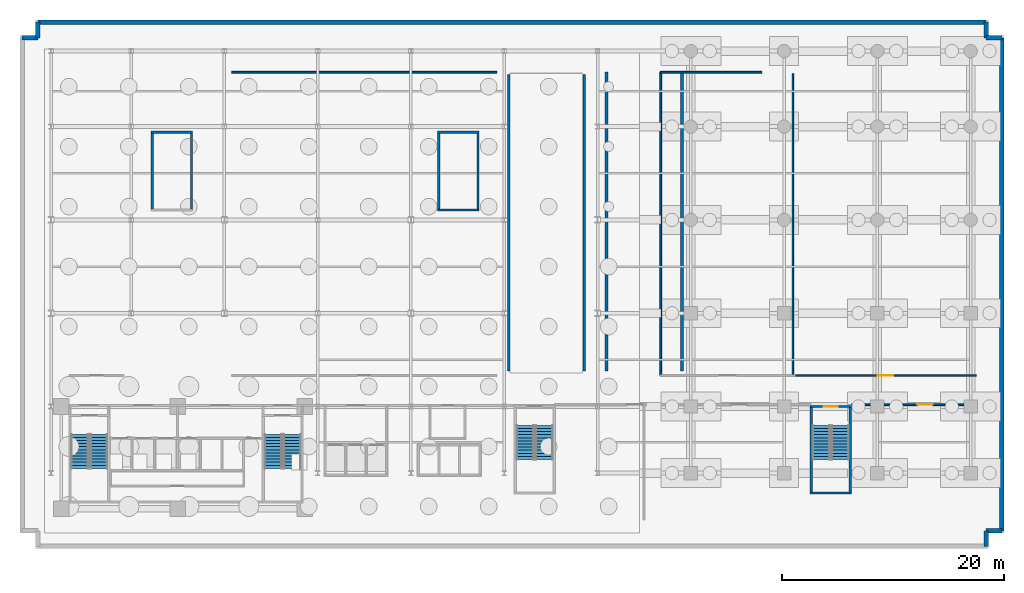
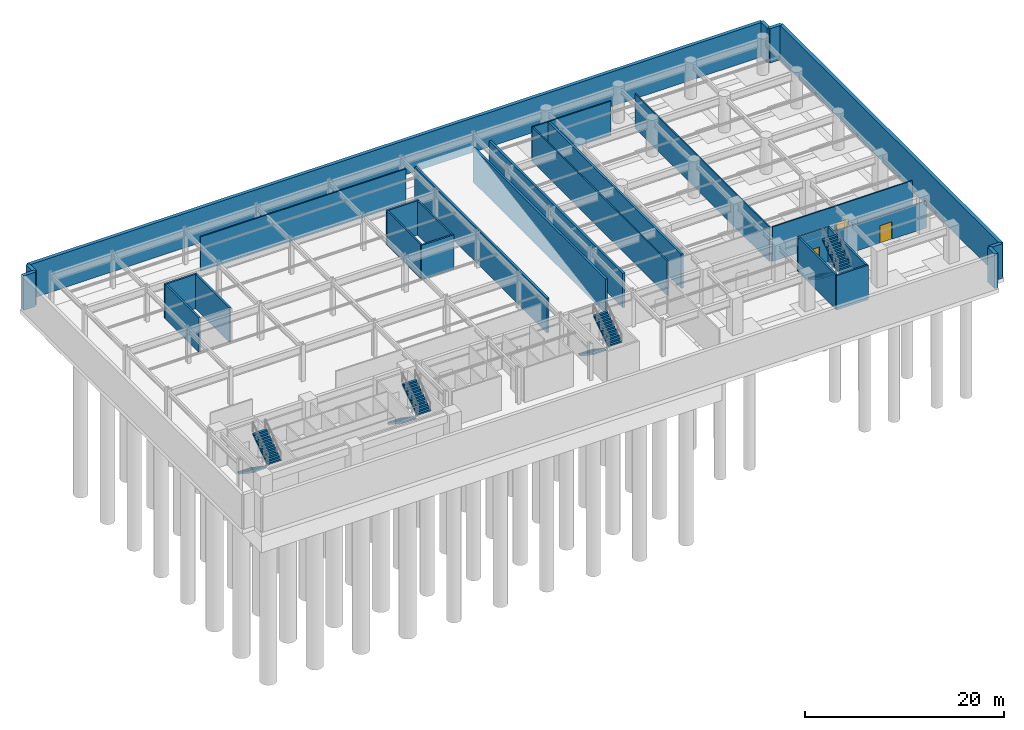
# One storey, part 11 of 14: 29 walls, 8 stair flights, 3 doors, 3 openings, 4 elements without a shape of their own.
"""IFC4 building model written with IfcOpenShell, lengths in metres."""

from ifc_helpers import new_model, si_unit, direction, frame, frame_2d, origin, place, context, subcontext, project, spatial, polyline, rectangle, outline, extrude, material, layer, layer_set, type_object, element, fill, aggregate, save


model = new_model("IFC4")

# Units and contexts
model_context = context("Model", 3, precision=1e-05, world=origin(), true_north=direction((0.0, 1.0)))
body_context = subcontext(model_context, "Body", "Model", "MODEL_VIEW")
ifc_project = project(units=[si_unit("LENGTHUNIT", "METRE"), si_unit("AREAUNIT", "SQUARE_METRE"), si_unit("VOLUMEUNIT", "CUBIC_METRE"), si_unit("PLANEANGLEUNIT", "RADIAN"), si_unit("MASSUNIT", "GRAM", prefix="KILO")], contexts=[model_context])

# Site, building, storey
site_placement = place(None, origin())
site = spatial("IfcSite", under=ifc_project, at=site_placement, CompositionType="ELEMENT")
building_placement = place(site_placement, origin())
building = spatial("IfcBuilding", under=site, at=building_placement, Name="Varnakote Quay Hospital", CompositionType="ELEMENT")
storey_placement = place(building_placement, frame((0.0, 0.0, -9.0)))
storey = spatial("IfcBuildingStorey", under=building, at=storey_placement, Name="B02", CompositionType="ELEMENT", Elevation=-9.0)

# Walls
ifc_material_1 = material(Name="Concrete N40 (f'c 40 MPa)", Category="concrete")
ifc_layer_1 = layer(ifc_material_1, 0.39990234375)
ifc_layer_set_1 = layer_set([ifc_layer_1], Name="Concrete N40 (f'c 40 MPa)")
wall_type_1 = type_object("IfcWallType", Name="WL-BSMT-RET-400", PredefinedType="STANDARD", material=ifc_layer_set_1)
for number, where, z_axis, x_axis, name in (
    (1, (85.39990234375, -0.60009765625, 0.0), (0.0, 0.0, 1.0), (0.0, 1.0, 0.0), "B02 Tanked Basement Retaining Wall"),
    (2, (85.39990234375, 0.800048828125, 0.0), (0.0, 0.0, 1.0), (1.0, 0.0, 0.0), "B02 Tanked Basement Retaining Wall"),
):
    element("IfcWall", number, at=place(storey_placement, frame(where, z_axis=z_axis, x_axis=x_axis)), inside=storey, type_object=wall_type_1, Name=name, PredefinedType="STANDARD", context=body_context, shape_type="SweptSolid", body=[
        extrude(rectangle(XDim=1.400146484375, YDim=0.39990234375, at=frame_2d((0.7001953125, 0.0))), origin(), (0.0, 0.0, 1.0), 4.239990234375),
    ])
wall_1_placement = place(storey_placement, frame((86.800048828125, 0.800048828125, 0.0), z_axis=(0.0, 0.0, 1.0), x_axis=(0.0, 1.0, 0.0)))
element("IfcWall", 3, at=wall_1_placement, inside=storey, type_object=wall_type_1, Name="B02 Tanked Basement Retaining Wall", PredefinedType="STANDARD", context=body_context, shape_type="SweptSolid", body=[
    extrude(rectangle(XDim=44.39990234375, YDim=0.39990234375, at=frame_2d((22.199951171875, 0.0))), origin(), (0.0, 0.0, 1.0), 4.239990234375),
])
for number, where, z_axis, x_axis, name in (
    (4, (86.800048828125, 45.199951171875, 0.0), (0.0, 0.0, 1.0), (-1.0, 0.0, 0.0), "B02 Tanked Basement Retaining Wall"),
    (5, (85.39990234375, 45.199951171875, 0.0), (0.0, 0.0, 1.0), (0.0, 1.0, 0.0), "B02 Tanked Basement Retaining Wall"),
):
    element("IfcWall", number, at=place(storey_placement, frame(where, z_axis=z_axis, x_axis=x_axis)), inside=storey, type_object=wall_type_1, Name=name, PredefinedType="STANDARD", context=body_context, shape_type="SweptSolid", body=[
        extrude(rectangle(XDim=1.400146484375, YDim=0.39990234375, at=frame_2d((0.7001953125, 0.0))), origin(), (0.0, 0.0, 1.0), 4.239990234375),
    ])
wall_2_placement = place(storey_placement, frame((85.39990234375, 46.60009765625, 0.0), z_axis=(0.0, 0.0, 1.0), x_axis=(-1.0, 0.0, 0.0)))
element("IfcWall", 6, at=wall_2_placement, inside=storey, type_object=wall_type_1, Name="B02 Tanked Basement Retaining Wall", PredefinedType="STANDARD", context=body_context, shape_type="SweptSolid", body=[
    extrude(rectangle(XDim=85.39990234375, YDim=0.39990234375, at=frame_2d((42.699951171875, 0.0))), origin(), (0.0, 0.0, 1.0), 4.239990234375),
])
wall_3_placement = place(storey_placement, frame((0.0, 46.60009765625, 0.0), z_axis=(0.0, 0.0, 1.0), x_axis=(0.0, -1.0, 0.0)))
element("IfcWall", 7, at=wall_3_placement, inside=storey, type_object=wall_type_1, Name="B02 Tanked Basement Retaining Wall", PredefinedType="STANDARD", context=body_context, shape_type="SweptSolid", body=[
    extrude(rectangle(XDim=1.400146484375, YDim=0.39990234375, at=frame_2d((0.7001953125, 0.0))), origin(), (0.0, 0.0, 1.0), 4.239990234375),
])
wall_4_placement = place(storey_placement, frame((0.0, 45.199951171875, 0.0), z_axis=(0.0, 0.0, 1.0), x_axis=(-1.0, 0.0, 0.0)))
element("IfcWall", 8, at=wall_4_placement, inside=storey, type_object=wall_type_1, Name="B02 Tanked Basement Retaining Wall", PredefinedType="STANDARD", context=body_context, shape_type="SweptSolid", body=[
    extrude(rectangle(XDim=1.39990234375, YDim=0.39990234375, at=frame_2d((0.699951171875, 0.0))), origin(), (0.0, 0.0, 1.0), 4.239990234375),
])
ifc_material_2 = material(Name="Concrete N50 (f'c 50 MPa)", Category="concrete")
ifc_layer_2 = layer(ifc_material_2, 0.199951171875)
ifc_layer_set_2 = layer_set([ifc_layer_2], Name="Concrete N50 (f'c 50 MPa)")
wall_type_2 = type_object("IfcWallType", Name="WL-SHAFT-N50-200", PredefinedType="SHEAR", material=ifc_layer_set_2)
wall_5_placement = place(storey_placement, frame((69.550048828125, 4.199951171875, 0.0), z_axis=(0.0, 0.0, 1.0), x_axis=(1.0, 0.0, 0.0)))
element("IfcWall", 9, at=wall_5_placement, inside=storey, type_object=wall_type_2, Name="B02 Stair ST6 South Shaft Wall", PredefinedType="SHEAR", context=body_context, shape_type="SweptSolid", body=[
    extrude(rectangle(XDim=3.699951171875, YDim=0.199951171875, at=frame_2d((1.85009765625, 0.0))), origin(), (0.0, 0.0, 1.0), 4.239990234375),
])
for number, where, z_axis, x_axis, name in (
    (10, (69.64990234375, 4.300048828125, 0.0), (0.0, 0.0, 1.0), (0.0, 1.0, 0.0), "B02 Stair ST6 West Shaft Wall"),
    (11, (73.14990234375, 4.300048828125, 0.0), (0.0, 0.0, 1.0), (0.0, 1.0, 0.0), "B02 Stair ST6 East Shaft Wall"),
):
    element("IfcWall", number, at=place(storey_placement, frame(where, z_axis=z_axis, x_axis=x_axis)), inside=storey, type_object=wall_type_2, Name=name, PredefinedType="SHEAR", context=body_context, shape_type="SweptSolid", body=[
        extrude(rectangle(XDim=7.599853515625, YDim=0.199951171875, at=frame_2d((3.7998046875, 0.0))), origin(), (0.0, 0.0, 1.0), 4.239990234375),
    ])

# Wall, opening, door
wall_6_placement = place(storey_placement, frame((69.550048828125, 12.0, 0.0), z_axis=(0.0, 0.0, 1.0), x_axis=(1.0, 0.0, 0.0)))
wall_6 = element("IfcWall", 12, at=wall_6_placement, inside=storey, type_object=wall_type_2, Name="B02 Stair ST6 Exit Wall", PredefinedType="SHEAR", context=body_context, shape_type="SweptSolid", body=[
    extrude(rectangle(XDim=3.699951171875, YDim=0.199951171875, at=frame_2d((1.85009765625, 0.0))), origin(), (0.0, 0.0, 1.0), 4.239990234375),
])
opening_1_placement = place(wall_6_placement, frame((1.199951171875, 0.0, 0.0)))
opening_1 = element("IfcOpeningElement", 13, at=opening_1_placement, cuts=wall_6, Name="Opening D-ST6-B02", PredefinedType="OPENING", context=body_context, shape_type="SweptSolid", body=[
    extrude(rectangle(XDim=1.300048828125, YDim=2.14990234375, at=frame_2d((0.64990234375, 1.074951171875))), frame((0.0, 0.10986328125, 0.0), z_axis=(0.0, -1.0, 0.0), x_axis=(1.0, 0.0, 0.0)), (0.0, 0.0, 1.0), 0.219970703125),
])
ifc_material_3 = material(Name="Fire-rated ceramic-glazed timber exit door", Category="wood")
door_type_1 = type_object("IfcDoorType", Name="DR-STAIR-FD60S-1300x2150", OperationType="NOTDEFINED", PredefinedType="DOOR", material=ifc_material_3)
door_1_placement = place(opening_1_placement, origin())
door_1 = element("IfcDoor", 14, at=door_1_placement, inside=storey, type_object=door_type_1, Name="B02 Stair ST6 Fire Exit Door", OperationType="SINGLE_SWING_LEFT", OverallHeight=2.14990234375, OverallWidth=1.300048828125, PredefinedType="DOOR", context=body_context, shape_type="SweptSolid", body=[
    extrude(rectangle(XDim=1.300048828125, YDim=2.14990234375, at=frame_2d((0.64990234375, 1.074951171875))), frame((0.0, 0.02490234375, 0.0), z_axis=(0.0, -1.0, 0.0), x_axis=(1.0, 0.0, 0.0)), (0.0, 0.0, 1.0), 0.050048828125),
])
fill(opening_1, door_1)

# Walls
for number, where, z_axis, x_axis, name in (
    (15, (10.300048828125, 29.800048828125, 0.0), (0.0, 0.0, 1.0), (0.0, 1.0, 0.0), "B02 Stair ST4 West Shaft Wall"),
    (16, (13.840087890625, 29.800048828125, 0.0), (0.0, 0.0, 1.0), (0.0, 1.0, 0.0), "B02 Stair ST4 East Shaft Wall"),
):
    element("IfcWall", number, at=place(storey_placement, frame(where, z_axis=z_axis, x_axis=x_axis)), inside=storey, type_object=wall_type_2, Name=name, PredefinedType="SHEAR", context=body_context, shape_type="SweptSolid", body=[
        extrude(rectangle(XDim=6.800048828125, YDim=0.199951171875, at=frame_2d((3.39990234375, 0.0))), origin(), (0.0, 0.0, 1.0), 4.239990234375),
    ])
for number, where, z_axis, x_axis, name in (
    (17, (10.199951171875, 36.699951171875, 0.0), (0.0, 0.0, 1.0), (1.0, 0.0, 0.0), "B02 Stair ST4 Exit Wall"),
    (18, (36.0, 29.699951171875, 0.0), (0.0, 0.0, 1.0), (1.0, 0.0, 0.0), "B02 Stair ST5 South Shaft Wall"),
):
    element("IfcWall", number, at=place(storey_placement, frame(where, z_axis=z_axis, x_axis=x_axis)), inside=storey, type_object=wall_type_2, Name=name, PredefinedType="SHEAR", context=body_context, shape_type="SweptSolid", body=[
        extrude(rectangle(XDim=3.739990234375, YDim=0.199951171875, at=frame_2d((1.8701171875, 0.0))), origin(), (0.0, 0.0, 1.0), 4.239990234375),
    ])
for number, where, z_axis, x_axis, name in (
    (19, (36.10009765625, 29.800048828125, 0.0), (0.0, 0.0, 1.0), (0.0, 1.0, 0.0), "B02 Stair ST5 West Shaft Wall"),
    (20, (39.639892578125, 29.800048828125, 0.0), (0.0, 0.0, 1.0), (0.0, 1.0, 0.0), "B02 Stair ST5 East Shaft Wall"),
):
    element("IfcWall", number, at=place(storey_placement, frame(where, z_axis=z_axis, x_axis=x_axis)), inside=storey, type_object=wall_type_2, Name=name, PredefinedType="SHEAR", context=body_context, shape_type="SweptSolid", body=[
        extrude(rectangle(XDim=6.800048828125, YDim=0.199951171875, at=frame_2d((3.39990234375, 0.0))), origin(), (0.0, 0.0, 1.0), 4.239990234375),
    ])
wall_7_placement = place(storey_placement, frame((36.0, 36.699951171875, 0.0), z_axis=(0.0, 0.0, 1.0), x_axis=(1.0, 0.0, 0.0)))
element("IfcWall", 21, at=wall_7_placement, inside=storey, type_object=wall_type_2, Name="B02 Stair ST5 Exit Wall", PredefinedType="SHEAR", context=body_context, shape_type="SweptSolid", body=[
    extrude(rectangle(XDim=3.739990234375, YDim=0.199951171875, at=frame_2d((1.8701171875, 0.0))), origin(), (0.0, 0.0, 1.0), 4.239990234375),
])
ifc_material_4 = material(Name="Concrete N50 (f'c 50 MPa)", Category="concrete")
ifc_layer_3 = layer(ifc_material_4, 0.25)
ifc_layer_set_3 = layer_set([ifc_layer_3], Name="Concrete N50 (f'c 50 MPa)")
wall_type_3 = type_object("IfcWallType", Name="WL-SHAFT-N50-250", PredefinedType="SHEAR", material=ifc_layer_set_3)
for number, where, z_axis, x_axis, name in (
    (22, (42.39990234375, 15.199951171875, 0.0), (0.0, 0.0, 1.0), (0.0, 1.0, 0.0), "B02 Vehicle Ramp R1 West Bearing Wall"),
    (23, (49.199951171875, 15.199951171875, 0.0), (0.0, 0.0, 1.0), (0.0, 1.0, 0.0), "B02 Vehicle Ramp R1 East Bearing Wall"),
):
    element("IfcWall", number, at=place(storey_placement, frame(where, z_axis=z_axis, x_axis=x_axis)), inside=storey, type_object=wall_type_3, Name=name, PredefinedType="SHEAR", context=body_context, shape_type="SweptSolid", body=[
        extrude(rectangle(XDim=26.699951171875, YDim=0.25, at=frame_2d((13.35009765625, 0.0))), origin(), (0.0, 0.0, 1.0), 4.239990234375),
    ])
for number, where, z_axis, x_axis, name in (
    (24, (51.199951171875, 15.199951171875, 0.0), (0.0, 0.0, 1.0), (0.0, 1.0, 0.0), "B02 Upper Ramp Line West Foundation Wall"),
    (25, (58.0, 15.199951171875, 0.0), (0.0, 0.0, 1.0), (0.0, 1.0, 0.0), "B02 Upper Ramp Line East Foundation Wall"),
):
    element("IfcWall", number, at=place(storey_placement, frame(where, z_axis=z_axis, x_axis=x_axis)), inside=storey, type_object=wall_type_3, Name=name, PredefinedType="SHEAR", context=body_context, shape_type="SweptSolid", body=[
        extrude(rectangle(XDim=26.900146484375, YDim=0.25, at=frame_2d((13.4501953125, 0.0))), origin(), (0.0, 0.0, 1.0), 4.239990234375),
    ])
ifc_material_5 = material(Name="Smoke-proof clinical partition", Category="gypsum")
ifc_layer_4 = layer(ifc_material_5, 0.135009765625)
ifc_layer_set_4 = layer_set([ifc_layer_4], Name="Smoke-proof clinical partition")
wall_type_4 = type_object("IfcWallType", Name="WL-SMOKE-135", PredefinedType="PARTITIONING", material=ifc_layer_set_4)
wall_8_placement = place(storey_placement, frame((68.0, 14.864990234375, 0.0), z_axis=(0.0, 0.0, 1.0), x_axis=(0.0, 1.0, 0.0)))
element("IfcWall", 26, at=wall_8_placement, inside=storey, type_object=wall_type_4, Name="B02 Clinical Interior Partition", PredefinedType="PARTITIONING", context=body_context, shape_type="SweptSolid", body=[
    extrude(rectangle(XDim=27.0849609375, YDim=0.135009765625, at=frame_2d((13.54248046875, 0.0))), origin(), (0.0, 0.0, 1.0), 4.239990234375),
])

# Wall, opening, door
ifc_material_6 = material(Name="Fire-rated clinical gypsum partition", Category="gypsum")
ifc_layer_5 = layer(ifc_material_6, 0.14990234375)
ifc_layer_set_5 = layer_set([ifc_layer_5], Name="Fire-rated clinical gypsum partition")
wall_type_5 = type_object("IfcWallType", Name="WL-WARD-150", PredefinedType="PARTITIONING", material=ifc_layer_set_5)
wall_9_placement = place(storey_placement, frame((73.271484375, 12.159912109375, 0.0), z_axis=(0.0, 0.0, 1.0), x_axis=(1.0, 0.0, 0.0)))
wall_9 = element("IfcWall", 27, at=wall_9_placement, inside=storey, type_object=wall_type_5, Name="B02 Clinical Interior Partition", PredefinedType="PARTITIONING", context=body_context, shape_type="SweptSolid", body=[
    extrude(rectangle(XDim=11.32861328125, YDim=0.14990234375, at=frame_2d((5.664306640625, 0.0))), origin(), (0.0, 0.0, 1.0), 3.304931640625),
])
opening_2_placement = place(wall_9_placement, frame((5.9169921875, 0.0, 0.0)))
opening_2 = element("IfcOpeningElement", 28, at=opening_2_placement, cuts=wall_9, Name="Opening D-B02-EPLT", PredefinedType="OPENING", context=body_context, shape_type="SweptSolid", body=[
    extrude(rectangle(XDim=1.39990234375, YDim=2.14990234375, at=frame_2d((0.699951171875, 1.074951171875))), frame((0.0, 0.0849609375, 0.0), z_axis=(0.0, -1.0, 0.0), x_axis=(1.0, 0.0, 0.0)), (0.0, 0.0, 1.0), 0.169921875),
])
ifc_material_7 = material(Name="Fire-rated acoustic plant room door")
door_type_2 = type_object("IfcDoorType", Name="DR-PLANT-FD60-1400x2150", OperationType="NOTDEFINED", PredefinedType="DOOR", material=ifc_material_7)
door_2_placement = place(opening_2_placement, origin())
door_2 = element("IfcDoor", 29, at=door_2_placement, inside=storey, type_object=door_type_2, Name="B02 East Podium Medical Gas & Vacuum Plant Door", OperationType="SINGLE_SWING_LEFT", OverallHeight=2.14990234375, OverallWidth=1.39990234375, PredefinedType="DOOR", context=body_context, shape_type="SweptSolid", body=[
    extrude(rectangle(XDim=1.39990234375, YDim=2.14990234375, at=frame_2d((0.699951171875, 1.074951171875))), frame((0.0, 0.02490234375, 0.0), z_axis=(0.0, -1.0, 0.0), x_axis=(1.0, 0.0, 0.0)), (0.0, 0.0, 1.0), 0.050048828125),
])
fill(opening_2, door_2)

wall_10_placement = place(storey_placement, frame((84.5, 14.800048828125, 0.0), z_axis=(0.0, 0.0, 1.0), x_axis=(-1.0, 0.0, 0.0)))
wall_10 = element("IfcWall", 30, at=wall_10_placement, inside=storey, type_object=wall_type_5, Name="B02 Clinical Interior Partition", PredefinedType="PARTITIONING", context=body_context, shape_type="SweptSolid", body=[
    extrude(rectangle(XDim=16.303466796875, YDim=0.14990234375, at=frame_2d((8.15185546875, 0.0))), origin(), (0.0, 0.0, 1.0), 4.239990234375),
])
opening_3_placement = place(wall_10_placement, frame((7.45166015625, 0.0, 0.0)))
opening_3 = element("IfcOpeningElement", 31, at=opening_3_placement, cuts=wall_10, Name="Opening D-B02-ESTG", PredefinedType="OPENING", context=body_context, shape_type="SweptSolid", body=[
    extrude(rectangle(XDim=1.39990234375, YDim=2.14990234375, at=frame_2d((0.699951171875, 1.074951171875))), frame((0.0, 0.0849609375, 0.0), z_axis=(0.0, -1.0, 0.0), x_axis=(1.0, 0.0, 0.0)), (0.0, 0.0, 1.0), 0.169921875),
])
door_3_placement = place(opening_3_placement, origin())
door_3 = element("IfcDoor", 32, at=door_3_placement, inside=storey, type_object=door_type_2, Name="B02 East Basement Bulk Pharmacy & Disaster Reserve Store Door", OperationType="SINGLE_SWING_LEFT", OverallHeight=2.14990234375, OverallWidth=1.39990234375, PredefinedType="DOOR", context=body_context, shape_type="SweptSolid", body=[
    extrude(rectangle(XDim=1.39990234375, YDim=2.14990234375, at=frame_2d((0.699951171875, 1.074951171875))), frame((0.0, 0.02490234375, 0.0), z_axis=(0.0, -1.0, 0.0), x_axis=(1.0, 0.0, 0.0)), (0.0, 0.0, 1.0), 0.050048828125),
])
fill(opening_3, door_3)

# Walls
wall_11_placement = place(storey_placement, frame((17.462890625, 42.10009765625, 0.0), z_axis=(0.0, 0.0, 1.0), x_axis=(1.0, 0.0, 0.0)))
element("IfcWall", 33, at=wall_11_placement, inside=storey, type_object=wall_type_5, Name="B02 Clinical Interior Partition", PredefinedType="PARTITIONING", context=body_context, shape_type="SweptSolid", body=[
    extrude(rectangle(XDim=23.874267578125, YDim=0.14990234375, at=frame_2d((11.93701171875, 0.0))), origin(), (0.0, 0.0, 1.0), 4.239990234375),
])
wall_12_placement = place(storey_placement, frame((56.062744140625, 42.10009765625, 0.0), z_axis=(0.0, 0.0, 1.0), x_axis=(1.0, 0.0, 0.0)))
element("IfcWall", 34, at=wall_12_placement, inside=storey, type_object=wall_type_5, Name="B02 Clinical Interior Partition", PredefinedType="PARTITIONING", context=body_context, shape_type="SweptSolid", body=[
    extrude(rectangle(XDim=9.13720703125, YDim=0.14990234375, at=frame_2d((4.568603515625, 0.0))), origin(), (0.0, 0.0, 1.0), 4.239990234375),
])
wall_13_placement = place(storey_placement, frame((56.10009765625, 14.820068359375, 0.0), z_axis=(0.0, 0.0, 1.0), x_axis=(0.0, 1.0, 0.0)))
element("IfcWall", 35, at=wall_13_placement, inside=storey, type_object=wall_type_5, Name="B02 Clinical Interior Partition", PredefinedType="PARTITIONING", context=body_context, shape_type="SweptSolid", body=[
    extrude(rectangle(XDim=27.260009765625, YDim=0.14990234375, at=frame_2d((13.6298828125, 0.0))), origin(), (0.0, 0.0, 1.0), 4.239990234375),
])

# Stair, stair flights
ifc_material_8 = material(Name="Concrete N40 (f'c 40 MPa)", Category="concrete")
stair_type = type_object("IfcStairType", Name="STR-CORE-1580", PredefinedType="HALF_TURN_STAIR", material=ifc_material_8)
stair_1_placement = place(storey_placement, origin())
stair_1 = element("IfcStair", 36, at=stair_1_placement, inside=storey, type_object=stair_type, Name="B02 Fire-Isolated Exit Stair ST-01", PredefinedType="HALF_TURN_STAIR")
ifc_material_9 = material(Name="Concrete N40 (f'c 40 MPa)", Category="concrete")
ifc_layer_6 = layer(ifc_material_9, 0.159912109375)
ifc_layer_set_6 = layer_set([ifc_layer_6], Name="Concrete N40 (f'c 40 MPa)")
stair_flight_type = type_object("IfcStairFlightType", Name="FLT-CORE-1580", PredefinedType="STRAIGHT", material=ifc_layer_set_6)
stair_flight_1_placement = place(storey_placement, frame((3.7900390625, 9.5, 0.0), z_axis=(0.0, 0.0, 1.0), x_axis=(0.0, -1.0, 0.0)))
stair_flight_1 = element("IfcStairFlight", 37, at=stair_flight_1_placement, type_object=stair_flight_type, Name="ST-01 flight 1", NumberOfRisers=12, NumberOfTreads=11, PredefinedType="STRAIGHT", RiserHeight=0.1875, TreadLength=0.28, context=body_context, shape_type="SweptSolid", body=[
    extrude(outline(polyline([(0.0, 0.0), (0.0, 0.1875), (0.280029296875, 0.1875), (0.280029296875, 0.375), (0.56005859375, 0.375), (0.56005859375, 0.5625), (0.840087890625, 0.5625), (0.840087890625, 0.75), (1.1201171875, 0.75), (1.1201171875, 0.9375), (1.39990234375, 0.9375), (1.39990234375, 1.125), (1.679931640625, 1.125), (1.679931640625, 1.3125), (1.9599609375, 1.3125), (1.9599609375, 1.5), (2.239990234375, 1.5), (2.239990234375, 1.6875), (2.52001953125, 1.6875), (2.52001953125, 1.875), (2.800048828125, 1.875), (2.800048828125, 2.0625), (3.080078125, 2.0625), (3.080078125, 2.25), (3.080078125, 1.8701171875), (0.287353515625, 0.0), (0.0, 0.0)])), frame((0.0, 0.7900390625, 0.0), z_axis=(0.0, -1.0, 0.0), x_axis=(1.0, 0.0, 0.0)), (0.0, 0.0, 1.0), 1.580078125),
])
stair_flight_2_placement = place(storey_placement, frame((5.510009765625, 6.419921875, 2.25), z_axis=(0.0, 0.0, 1.0), x_axis=(0.0, 1.0, 0.0)))
stair_flight_2 = element("IfcStairFlight", 38, at=stair_flight_2_placement, type_object=stair_flight_type, Name="ST-01 flight 2", NumberOfRisers=12, NumberOfTreads=11, PredefinedType="STRAIGHT", RiserHeight=0.1875, TreadLength=0.28, context=body_context, shape_type="SweptSolid", body=[
    extrude(outline(polyline([(0.0, 0.0), (0.0, 0.1875), (0.280029296875, 0.1875), (0.280029296875, 0.375), (0.56005859375, 0.375), (0.56005859375, 0.5625), (0.840087890625, 0.5625), (0.840087890625, 0.75), (1.1201171875, 0.75), (1.1201171875, 0.9375), (1.39990234375, 0.9375), (1.39990234375, 1.125), (1.679931640625, 1.125), (1.679931640625, 1.3125), (1.9599609375, 1.3125), (1.9599609375, 1.5), (2.239990234375, 1.5), (2.239990234375, 1.6875), (2.52001953125, 1.6875), (2.52001953125, 1.875), (2.800048828125, 1.875), (2.800048828125, 2.0625), (3.080078125, 2.0625), (3.080078125, 2.25), (3.080078125, 1.8701171875), (0.287353515625, 0.0), (0.0, 0.0)])), frame((0.0, 0.7900390625, 0.0), z_axis=(0.0, -1.0, 0.0), x_axis=(1.0, 0.0, 0.0)), (0.0, 0.0, 1.0), 1.580078125),
])
aggregate(stair_1, [stair_flight_1, stair_flight_2])

stair_2_placement = place(storey_placement, origin())
stair_2 = element("IfcStair", 39, at=stair_2_placement, inside=storey, type_object=stair_type, Name="B02 Fire-Isolated Exit Stair ST-02", PredefinedType="HALF_TURN_STAIR")
stair_flight_3_placement = place(storey_placement, frame((21.18994140625, 9.5, 0.0), z_axis=(0.0, 0.0, 1.0), x_axis=(0.0, -1.0, 0.0)))
stair_flight_3 = element("IfcStairFlight", 40, at=stair_flight_3_placement, type_object=stair_flight_type, Name="ST-02 flight 1", NumberOfRisers=12, NumberOfTreads=11, PredefinedType="STRAIGHT", RiserHeight=0.1875, TreadLength=0.28, context=body_context, shape_type="SweptSolid", body=[
    extrude(outline(polyline([(0.0, 0.0), (0.0, 0.1875), (0.280029296875, 0.1875), (0.280029296875, 0.375), (0.56005859375, 0.375), (0.56005859375, 0.5625), (0.840087890625, 0.5625), (0.840087890625, 0.75), (1.1201171875, 0.75), (1.1201171875, 0.9375), (1.39990234375, 0.9375), (1.39990234375, 1.125), (1.679931640625, 1.125), (1.679931640625, 1.3125), (1.9599609375, 1.3125), (1.9599609375, 1.5), (2.239990234375, 1.5), (2.239990234375, 1.6875), (2.52001953125, 1.6875), (2.52001953125, 1.875), (2.800048828125, 1.875), (2.800048828125, 2.0625), (3.080078125, 2.0625), (3.080078125, 2.25), (3.080078125, 1.8701171875), (0.287353515625, 0.0), (0.0, 0.0)])), frame((0.0, 0.7900390625, 0.0), z_axis=(0.0, -1.0, 0.0), x_axis=(1.0, 0.0, 0.0)), (0.0, 0.0, 1.0), 1.580078125),
])
stair_flight_4_placement = place(storey_placement, frame((22.909912109375, 6.419921875, 2.25), z_axis=(0.0, 0.0, 1.0), x_axis=(0.0, 1.0, 0.0)))
stair_flight_4 = element("IfcStairFlight", 41, at=stair_flight_4_placement, type_object=stair_flight_type, Name="ST-02 flight 2", NumberOfRisers=12, NumberOfTreads=11, PredefinedType="STRAIGHT", RiserHeight=0.1875, TreadLength=0.28, context=body_context, shape_type="SweptSolid", body=[
    extrude(outline(polyline([(0.0, 0.0), (0.0, 0.1875), (0.280029296875, 0.1875), (0.280029296875, 0.375), (0.56005859375, 0.375), (0.56005859375, 0.5625), (0.840087890625, 0.5625), (0.840087890625, 0.75), (1.1201171875, 0.75), (1.1201171875, 0.9375), (1.39990234375, 0.9375), (1.39990234375, 1.125), (1.679931640625, 1.125), (1.679931640625, 1.3125), (1.9599609375, 1.3125), (1.9599609375, 1.5), (2.239990234375, 1.5), (2.239990234375, 1.6875), (2.52001953125, 1.6875), (2.52001953125, 1.875), (2.800048828125, 1.875), (2.800048828125, 2.0625), (3.080078125, 2.0625), (3.080078125, 2.25), (3.080078125, 1.8701171875), (0.287353515625, 0.0), (0.0, 0.0)])), frame((0.0, 0.7900390625, 0.0), z_axis=(0.0, -1.0, 0.0), x_axis=(1.0, 0.0, 0.0)), (0.0, 0.0, 1.0), 1.580078125),
])
aggregate(stair_2, [stair_flight_3, stair_flight_4])

stair_3_placement = place(storey_placement, origin())
stair_3 = element("IfcStair", 42, at=stair_3_placement, inside=storey, type_object=stair_type, Name="B02 Fire-Isolated Exit Stair ST-03", PredefinedType="HALF_TURN_STAIR")
stair_flight_5_placement = place(storey_placement, frame((43.889892578125, 10.300048828125, 0.0), z_axis=(0.0, 0.0, 1.0), x_axis=(0.0, -1.0, 0.0)))
stair_flight_5 = element("IfcStairFlight", 43, at=stair_flight_5_placement, type_object=stair_flight_type, Name="ST-03 flight 1", NumberOfRisers=12, NumberOfTreads=11, PredefinedType="STRAIGHT", RiserHeight=0.1875, TreadLength=0.28, context=body_context, shape_type="SweptSolid", body=[
    extrude(outline(polyline([(0.0, 0.0), (0.0, 0.1875), (0.280029296875, 0.1875), (0.280029296875, 0.375), (0.56005859375, 0.375), (0.56005859375, 0.5625), (0.840087890625, 0.5625), (0.840087890625, 0.75), (1.1201171875, 0.75), (1.1201171875, 0.9375), (1.39990234375, 0.9375), (1.39990234375, 1.125), (1.679931640625, 1.125), (1.679931640625, 1.3125), (1.9599609375, 1.3125), (1.9599609375, 1.5), (2.239990234375, 1.5), (2.239990234375, 1.6875), (2.52001953125, 1.6875), (2.52001953125, 1.875), (2.800048828125, 1.875), (2.800048828125, 2.0625), (3.080078125, 2.0625), (3.080078125, 2.25), (3.080078125, 1.8701171875), (0.287353515625, 0.0), (0.0, 0.0)])), frame((0.0, 0.7900390625, 0.0), z_axis=(0.0, -1.0, 0.0), x_axis=(1.0, 0.0, 0.0)), (0.0, 0.0, 1.0), 1.580078125),
])
stair_flight_6_placement = place(storey_placement, frame((45.610107421875, 7.219970703125, 2.25), z_axis=(0.0, 0.0, 1.0), x_axis=(0.0, 1.0, 0.0)))
stair_flight_6 = element("IfcStairFlight", 44, at=stair_flight_6_placement, type_object=stair_flight_type, Name="ST-03 flight 2", NumberOfRisers=12, NumberOfTreads=11, PredefinedType="STRAIGHT", RiserHeight=0.1875, TreadLength=0.28, context=body_context, shape_type="SweptSolid", body=[
    extrude(outline(polyline([(0.0, 0.0), (0.0, 0.1875), (0.280029296875, 0.1875), (0.280029296875, 0.375), (0.56005859375, 0.375), (0.56005859375, 0.5625), (0.840087890625, 0.5625), (0.840087890625, 0.75), (1.1201171875, 0.75), (1.1201171875, 0.9375), (1.39990234375, 0.9375), (1.39990234375, 1.125), (1.679931640625, 1.125), (1.679931640625, 1.3125), (1.9599609375, 1.3125), (1.9599609375, 1.5), (2.239990234375, 1.5), (2.239990234375, 1.6875), (2.52001953125, 1.6875), (2.52001953125, 1.875), (2.800048828125, 1.875), (2.800048828125, 2.0625), (3.080078125, 2.0625), (3.080078125, 2.25), (3.080078125, 1.8701171875), (0.287353515625, 0.0), (0.0, 0.0)])), frame((0.0, 0.7900390625, 0.0), z_axis=(0.0, -1.0, 0.0), x_axis=(1.0, 0.0, 0.0)), (0.0, 0.0, 1.0), 1.580078125),
])
aggregate(stair_3, [stair_flight_5, stair_flight_6])

stair_4_placement = place(storey_placement, origin())
stair_4 = element("IfcStair", 45, at=stair_4_placement, inside=storey, type_object=stair_type, Name="B02 East Podium Fire-Isolated Exit Stair ST-06", PredefinedType="HALF_TURN_STAIR")
stair_flight_7_placement = place(storey_placement, frame((70.5400390625, 10.300048828125, 0.0), z_axis=(0.0, 0.0, 1.0), x_axis=(0.0, -1.0, 0.0)))
stair_flight_7 = element("IfcStairFlight", 46, at=stair_flight_7_placement, type_object=stair_flight_type, Name="ST-06 flight 1", NumberOfRisers=12, NumberOfTreads=11, PredefinedType="STRAIGHT", RiserHeight=0.1875, TreadLength=0.28, context=body_context, shape_type="SweptSolid", body=[
    extrude(outline(polyline([(0.0, 0.0), (0.0, 0.1875), (0.280029296875, 0.1875), (0.280029296875, 0.375), (0.56005859375, 0.375), (0.56005859375, 0.5625), (0.840087890625, 0.5625), (0.840087890625, 0.75), (1.1201171875, 0.75), (1.1201171875, 0.9375), (1.39990234375, 0.9375), (1.39990234375, 1.125), (1.679931640625, 1.125), (1.679931640625, 1.3125), (1.9599609375, 1.3125), (1.9599609375, 1.5), (2.239990234375, 1.5), (2.239990234375, 1.6875), (2.52001953125, 1.6875), (2.52001953125, 1.875), (2.800048828125, 1.875), (2.800048828125, 2.0625), (3.080078125, 2.0625), (3.080078125, 2.25), (3.080078125, 1.8701171875), (0.287353515625, 0.0), (0.0, 0.0)])), frame((0.0, 0.7900390625, 0.0), z_axis=(0.0, -1.0, 0.0), x_axis=(1.0, 0.0, 0.0)), (0.0, 0.0, 1.0), 1.580078125),
])
stair_flight_8_placement = place(storey_placement, frame((72.260009765625, 7.219970703125, 2.25), z_axis=(0.0, 0.0, 1.0), x_axis=(0.0, 1.0, 0.0)))
stair_flight_8 = element("IfcStairFlight", 47, at=stair_flight_8_placement, type_object=stair_flight_type, Name="ST-06 flight 2", NumberOfRisers=12, NumberOfTreads=11, PredefinedType="STRAIGHT", RiserHeight=0.1875, TreadLength=0.28, context=body_context, shape_type="SweptSolid", body=[
    extrude(outline(polyline([(0.0, 0.0), (0.0, 0.1875), (0.280029296875, 0.1875), (0.280029296875, 0.375), (0.56005859375, 0.375), (0.56005859375, 0.5625), (0.840087890625, 0.5625), (0.840087890625, 0.75), (1.1201171875, 0.75), (1.1201171875, 0.9375), (1.39990234375, 0.9375), (1.39990234375, 1.125), (1.679931640625, 1.125), (1.679931640625, 1.3125), (1.9599609375, 1.3125), (1.9599609375, 1.5), (2.239990234375, 1.5), (2.239990234375, 1.6875), (2.52001953125, 1.6875), (2.52001953125, 1.875), (2.800048828125, 1.875), (2.800048828125, 2.0625), (3.080078125, 2.0625), (3.080078125, 2.25), (3.080078125, 1.8701171875), (0.287353515625, 0.0), (0.0, 0.0)])), frame((0.0, 0.7900390625, 0.0), z_axis=(0.0, -1.0, 0.0), x_axis=(1.0, 0.0, 0.0)), (0.0, 0.0, 1.0), 1.580078125),
])
aggregate(stair_4, [stair_flight_7, stair_flight_8])

save(model, "model.ifc")
